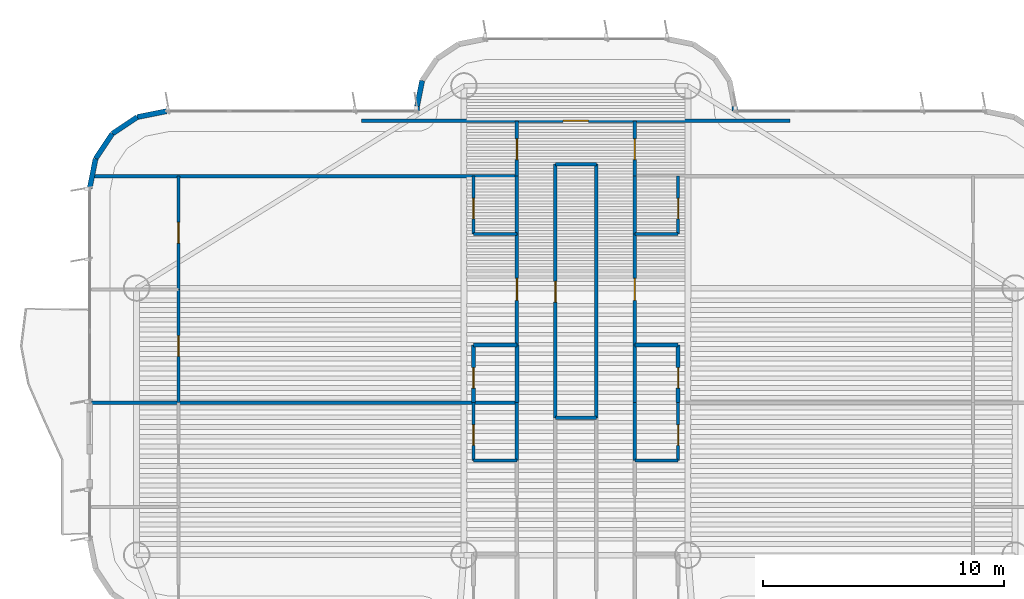
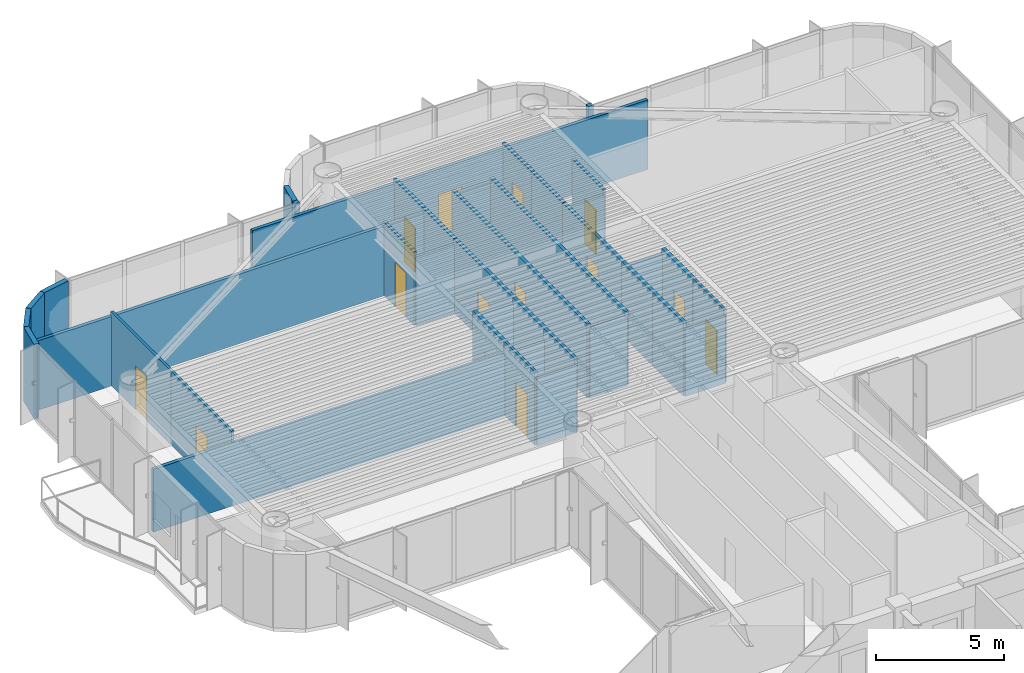
# One storey, part 11 of 15: 38 walls, 14 doors, 14 openings.
"""IFC4 building model written with IfcOpenShell, lengths in metres."""

from ifc_helpers import new_model, si_unit, direction, frame, frame_2d, origin, origin_2d, place, context, subcontext, project, spatial, rectangle, extrude, source, transform, mapped, material, layer, layer_set, type_object, element, fill, save


model = new_model("IFC4")

# Units and contexts
model_context = context("Model", 3, precision=1e-05, world=origin(), true_north=direction((0.0, 1.0)))
body_context = subcontext(model_context, "Body", "Model", "MODEL_VIEW")
ifc_project = project(units=[si_unit("LENGTHUNIT", "METRE"), si_unit("AREAUNIT", "SQUARE_METRE"), si_unit("VOLUMEUNIT", "CUBIC_METRE"), si_unit("PLANEANGLEUNIT", "RADIAN"), si_unit("MASSUNIT", "GRAM", prefix="KILO")], contexts=[model_context])

# Site, building, storey
site_placement = place(None, origin())
site = spatial("IfcSite", under=ifc_project, at=site_placement, CompositionType="ELEMENT")
building_placement = place(site_placement, origin())
building = spatial("IfcBuilding", under=site, at=building_placement, Name="Brelvock Crest Care Tower", CompositionType="ELEMENT")
storey_placement = place(building_placement, frame((0.0, 0.0, 160.199951171875)))
storey = spatial("IfcBuildingStorey", under=building, at=storey_placement, Name="L40", CompositionType="ELEMENT", Elevation=160.199951171875)

# Walls
ifc_material_1 = material(Name="Precast concrete N40 (40 MPa)", Category="concrete")
ifc_layer_1 = layer(ifc_material_1, 0.215087890625, Name="WL-EX2")
ifc_layer_set_1 = layer_set([ifc_layer_1], Name="Precast concrete N40 (40 MPa)")
wall_type_1 = type_object("IfcWallType", Name="WL-EX2", PredefinedType="SOLIDWALL", material=ifc_layer_set_1)
for number, where, z_axis, x_axis, name in (
    (1, (15.800048828125, 50.199951171875, 0.0), (0.0, 0.0, 1.0), (0.195138390419, 0.980775717779, 0.0), "L40 Rounded Corner Wall 18"),
    (2, (16.043701171875, 51.424560546875, 0.0), (0.0, 0.0, 1.0), (0.555557312883, 0.831478245117, 0.0), "L40 Rounded Corner Wall 19"),
    (3, (16.7373046875, 52.462646484375, 0.0), (0.0, 0.0, 1.0), (0.831387912822, 0.555692485475, 0.0), "L40 Rounded Corner Wall 20"),
    (4, (17.775390625, 53.156494140625, 0.0), (0.0, 0.0, 1.0), (0.980813122964, 0.194950295773, 0.0), "L40 Rounded Corner Wall 21"),
):
    element("IfcWall", number, at=place(storey_placement, frame(where, z_axis=z_axis, x_axis=x_axis)), inside=storey, type_object=wall_type_1, Name=name, PredefinedType="SOLIDWALL", context=body_context, shape_type="SweptSolid", body=[
        extrude(rectangle(XDim=1.24853515625, YDim=0.215087890625, at=frame_2d((0.624267578125, 0.0))), origin(), (0.0, 0.0, 1.0), 3.530029296875),
    ])
wall_1_placement = place(storey_placement, frame((29.39990234375, 53.39990234375, 0.0), z_axis=(0.0, 0.0, 1.0), x_axis=(0.0, 1.0, 0.0)))
element("IfcWall", 5, at=wall_1_placement, inside=storey, type_object=wall_type_1, Name="L40 Rounded Corner Wall 23", PredefinedType="SOLIDWALL", context=body_context, shape_type="SweptSolid", body=[
    extrude(rectangle(XDim=0.2001953125, YDim=0.215087890625, at=frame_2d((0.10009765625, 0.0))), origin(), (0.0, 0.0, 1.0), 3.530029296875),
])
wall_2_placement = place(storey_placement, frame((29.39990234375, 53.60009765625, 0.0), z_axis=(0.0, 0.0, 1.0), x_axis=(0.195127417394, 0.980777900945, 0.0)))
element("IfcWall", 6, at=wall_2_placement, inside=storey, type_object=wall_type_1, Name="L40 Rounded Corner Wall 24", PredefinedType="SOLIDWALL", context=body_context, shape_type="SweptSolid", body=[
    extrude(rectangle(XDim=1.09228515625, YDim=0.215087890625, at=frame_2d((0.546142578125, 0.0))), origin(), (0.0, 0.0, 1.0), 3.530029296875),
])
wall_3_placement = place(storey_placement, frame((42.60009765625, 53.60009765625, 0.0), z_axis=(0.0, 0.0, 1.0), x_axis=(0.0, -1.0, 0.0)))
element("IfcWall", 7, at=wall_3_placement, inside=storey, type_object=wall_type_1, Name="L40 Rounded Corner Wall 33", PredefinedType="SOLIDWALL", context=body_context, shape_type="SweptSolid", body=[
    extrude(rectangle(XDim=0.2001953125, YDim=0.215087890625, at=frame_2d((0.10009765625, 0.0))), origin(), (0.0, 0.0, 1.0), 3.530029296875),
])
ifc_material_2 = material(Name="Masonry Blockwork Acoustic Partition", Category="masonry")
ifc_layer_2 = layer(ifc_material_2, 0.14990234375, Name="WL-INT1")
ifc_layer_set_2 = layer_set([ifc_layer_2], Name="Masonry Blockwork Acoustic Partition")
wall_type_2 = type_object("IfcWallType", Name="WL-INT1", PredefinedType="PARTITIONING", material=ifc_layer_set_2)
wall_4_placement = place(storey_placement, frame((35.14990234375, 40.659912109375, 0.0), z_axis=(0.0, 0.0, 1.0), x_axis=(1.0, 0.0, 0.0)))
element("IfcWall", 8, at=wall_4_placement, inside=storey, type_object=wall_type_2, Name="L40 Interior Wall WL-BX-L40-ISKT-S", PredefinedType="PARTITIONING", context=body_context, shape_type="SweptSolid", body=[
    extrude(rectangle(XDim=1.7001953125, YDim=0.14990234375, at=frame_2d((0.85009765625, 0.0))), origin(), (0.0, 0.0, 1.0), 3.259033203125),
])
wall_5_placement = place(storey_placement, frame((15.8798828125, 41.2880859375, 0.0), z_axis=(0.0, 0.0, 1.0), x_axis=(1.0, 0.0, 0.0)))
element("IfcWall", 9, at=wall_5_placement, inside=storey, type_object=wall_type_2, Name="L40 Interior Wall WL-BX-L40-FL-WF1-N", PredefinedType="PARTITIONING", context=body_context, shape_type="SweptSolid", body=[
    extrude(rectangle(XDim=17.670166015625, YDim=0.14990234375, at=frame_2d((8.8349609375, 0.0))), origin(), (0.0, 0.0, 1.0), 2.98193359375),
])
wall_6_placement = place(storey_placement, frame((15.98095703125, 50.699951171875, 0.0), z_axis=(0.0, 0.0, 1.0), x_axis=(1.0, 0.0, 0.0)))
element("IfcWall", 10, at=wall_6_placement, inside=storey, type_object=wall_type_2, Name="L40 Interior Wall WL-BX-L40-FL-WF2-N", PredefinedType="PARTITIONING", context=body_context, shape_type="SweptSolid", body=[
    extrude(rectangle(XDim=17.569091796875, YDim=0.14990234375, at=frame_2d((8.78466796875, 0.0))), origin(), (0.0, 0.0, 1.0), 3.30810546875),
])
wall_7_placement = place(storey_placement, frame((35.14990234375, 51.199951171875, 0.0), z_axis=(0.0, 0.0, 1.0), x_axis=(1.0, 0.0, 0.0)))
element("IfcWall", 11, at=wall_7_placement, inside=storey, type_object=wall_type_2, Name="L40 Interior Wall WL-BX-L40-ISKT-N", PredefinedType="PARTITIONING", context=body_context, shape_type="SweptSolid", body=[
    extrude(rectangle(XDim=1.7001953125, YDim=0.14990234375, at=frame_2d((0.85009765625, 0.0))), origin(), (0.0, 0.0, 1.0), 3.30810546875),
])

# Wall, opening, door
wall_8_placement = place(storey_placement, frame((27.10009765625, 53.0, 0.0), z_axis=(0.0, 0.0, 1.0), x_axis=(1.0, 0.0, 0.0)))
wall_8 = element("IfcWall", 12, at=wall_8_placement, inside=storey, type_object=wall_type_2, Name="L40 Interior Wall WL-RM-L40-NHUB", PredefinedType="PARTITIONING", context=body_context, shape_type="SweptSolid", body=[
    extrude(rectangle(XDim=17.7998046875, YDim=0.14990234375, at=frame_2d((8.89990234375, 0.0))), origin(), (0.0, 0.0, 1.0), 3.30810546875),
])
opening_1_placement = place(wall_8_placement, frame((8.375, 0.0, 0.0)))
opening_1 = element("IfcOpeningElement", 13, at=opening_1_placement, cuts=wall_8, Name="Opening CLD-1", PredefinedType="OPENING", context=body_context, shape_type="SweptSolid", body=[
    extrude(rectangle(XDim=1.050048828125, YDim=2.10009765625, at=origin_2d()), frame((0.52490234375, 0.0849609375, 1.050048828125), z_axis=(0.0, -1.0, 0.0), x_axis=(1.0, 0.0, 0.0)), (0.0, 0.0, 1.0), 0.169921875),
])
ifc_material_3 = material(Name="Engineered Hardwood Timber", Category="wood")
door_type_1 = type_object("IfcDoorType", Name="DR-CLN1", OperationType="NOTDEFINED", PredefinedType="DOOR", material=ifc_material_3)
shared_shape_1 = source(origin(), body_context, "Body", "SweptSolid", [
    extrude(rectangle(XDim=1.050048828125, YDim=2.10009765625, at=origin_2d()), frame((0.52490234375, 0.02490234375, 1.050048828125), z_axis=(0.0, -1.0, 0.0), x_axis=(1.0, 0.0, 0.0)), (0.0, 0.0, 1.0), 0.050048828125),
])
door_1_placement = place(opening_1_placement, origin())
door_1 = element("IfcDoor", 14, at=door_1_placement, inside=storey, type_object=door_type_1, Name="L40 North Crest Conservatory Lounge Door NHUB", OperationType="SINGLE_SWING_LEFT", OverallHeight=2.10009765625, OverallWidth=1.050048828125, PredefinedType="DOOR", context=body_context, shape_type="MappedRepresentation", body=[
    mapped(shared_shape_1, transform((0.0, 0.0, 0.0), x_axis=(1.0, 0.0, 0.0), y_axis=(0.0, 1.0, 0.0), z_axis=(0.0, 0.0, 1.0), scale=1.0)),
])
fill(opening_1, door_1)

# Wall
wall_9_placement = place(storey_placement, frame((33.550048828125, 38.887939453125, 0.0), z_axis=(0.0, 0.0, 1.0), x_axis=(0.0, 1.0, 0.0)))
element("IfcWall", 15, at=wall_9_placement, inside=storey, type_object=wall_type_2, Name="L40 Interior Wall WL-UCK-L40-WF1", PredefinedType="PARTITIONING", context=body_context, shape_type="SweptSolid", body=[
    extrude(rectangle(XDim=2.400146484375, YDim=0.14990234375, at=frame_2d((1.2001953125, 0.0))), origin(), (0.0, 0.0, 1.0), 3.5),
])

# Wall, opening, door
wall_10_placement = place(storey_placement, frame((33.550048828125, 43.68798828125, 0.0), z_axis=(0.0, 0.0, 1.0), x_axis=(0.0, 1.0, 0.0)))
wall_10 = element("IfcWall", 16, at=wall_10_placement, inside=storey, type_object=wall_type_2, Name="L40 Interior Wall WL-UENT-L40-WF2", PredefinedType="PARTITIONING", context=body_context, shape_type="SweptSolid", body=[
    extrude(rectangle(XDim=4.612060546875, YDim=0.14990234375, at=frame_2d((2.30615234375, 0.0))), origin(), (0.0, 0.0, 1.0), 3.5),
])
opening_2_placement = place(wall_10_placement, frame((1.845947265625, 0.0, 0.0)))
opening_2 = element("IfcOpeningElement", 17, at=opening_2_placement, cuts=wall_10, Name="Opening AD-1", PredefinedType="OPENING", context=body_context, shape_type="SweptSolid", body=[
    extrude(rectangle(XDim=0.919921875, YDim=2.10009765625, at=origin_2d()), frame((0.4599609375, 0.0849609375, 1.050048828125), z_axis=(0.0, -1.0, 0.0), x_axis=(1.0, 0.0, 0.0)), (0.0, 0.0, 1.0), 0.169921875),
])
door_type_2 = type_object("IfcDoorType", Name="DR-APT1", OperationType="NOTDEFINED", PredefinedType="DOOR", material=ifc_material_3)
shared_shape_2 = source(origin(), body_context, "Body", "SweptSolid", [
    extrude(rectangle(XDim=0.919921875, YDim=2.10009765625, at=origin_2d()), frame((0.4599609375, 0.02490234375, 1.050048828125), z_axis=(0.0, -1.0, 0.0), x_axis=(1.0, 0.0, 0.0)), (0.0, 0.0, 1.0), 0.050048828125),
])
door_2_placement = place(opening_2_placement, origin())
door_2 = element("IfcDoor", 18, at=door_2_placement, inside=storey, type_object=door_type_2, Name="L40 Apartment Entrance WF2", OperationType="SINGLE_SWING_LEFT", OverallHeight=2.10009765625, OverallWidth=0.919921875, PredefinedType="DOOR", context=body_context, shape_type="MappedRepresentation", body=[
    mapped(shared_shape_2, transform((0.0, 0.0, 0.0), x_axis=(1.0, 0.0, 0.0), y_axis=(0.0, 1.0, 0.0), z_axis=(0.0, 0.0, 1.0), scale=1.0)),
])
fill(opening_2, door_2)

# Wall
wall_11_placement = place(storey_placement, frame((33.550048828125, 48.300048828125, 0.0), z_axis=(0.0, 0.0, 1.0), x_axis=(0.0, 1.0, 0.0)))
element("IfcWall", 19, at=wall_11_placement, inside=storey, type_object=wall_type_2, Name="L40 Interior Wall WL-UCK-L40-WF2", PredefinedType="PARTITIONING", context=body_context, shape_type="SweptSolid", body=[
    extrude(rectangle(XDim=2.39990234375, YDim=0.14990234375, at=frame_2d((1.199951171875, 0.0))), origin(), (0.0, 0.0, 1.0), 3.5),
])

# Wall, opening, door
wall_12_placement = place(storey_placement, frame((33.550048828125, 50.699951171875, 0.0), z_axis=(0.0, 0.0, 1.0), x_axis=(0.0, 1.0, 0.0)))
wall_12 = element("IfcWall", 20, at=wall_12_placement, inside=storey, type_object=wall_type_2, Name="L40 Interior Wall WL-RM-L40-NALW", PredefinedType="PARTITIONING", context=body_context, shape_type="SweptSolid", body=[
    extrude(rectangle(XDim=2.300048828125, YDim=0.14990234375, at=frame_2d((1.14990234375, 0.0))), origin(), (0.0, 0.0, 1.0), 3.5),
])
opening_3_placement = place(wall_12_placement, frame((0.68994140625, 0.0, 0.0)))
opening_3 = element("IfcOpeningElement", 21, at=opening_3_placement, cuts=wall_12, Name="Opening ID-1", PredefinedType="OPENING", context=body_context, shape_type="SweptSolid", body=[
    extrude(rectangle(XDim=0.860107421875, YDim=2.10009765625, at=origin_2d()), frame((0.43017578125, 0.0849609375, 1.050048828125), z_axis=(0.0, -1.0, 0.0), x_axis=(1.0, 0.0, 0.0)), (0.0, 0.0, 1.0), 0.169921875),
])
door_type_3 = type_object("IfcDoorType", Name="DR-INT1", OperationType="NOTDEFINED", PredefinedType="DOOR", material=ifc_material_3)
shared_shape_3 = source(origin(), body_context, "Body", "SweptSolid", [
    extrude(rectangle(XDim=0.860107421875, YDim=2.10009765625, at=origin_2d()), frame((0.43017578125, 0.02490234375, 1.050048828125), z_axis=(0.0, -1.0, 0.0), x_axis=(1.0, 0.0, 0.0)), (0.0, 0.0, 1.0), 0.050048828125),
])
door_3_placement = place(opening_3_placement, origin())
door_3 = element("IfcDoor", 22, at=door_3_placement, inside=storey, type_object=door_type_3, Name="L40 North West Sun Alcove Door NALW", OperationType="SINGLE_SWING_LEFT", OverallHeight=2.10009765625, OverallWidth=0.860107421875, PredefinedType="DOOR", context=body_context, shape_type="MappedRepresentation", body=[
    mapped(shared_shape_3, transform((0.0, 0.0, 0.0), x_axis=(1.0, 0.0, 0.0), y_axis=(0.0, 1.0, 0.0), z_axis=(0.0, 0.0, 1.0), scale=1.0)),
])
fill(opening_3, door_3)

wall_13_placement = place(storey_placement, frame((35.14990234375, 40.659912109375, 0.0), z_axis=(0.0, 0.0, 1.0), x_axis=(0.0, 1.0, 0.0)))
wall_13 = element("IfcWall", 23, at=wall_13_placement, inside=storey, type_object=wall_type_2, Name="L40 Interior Wall WL-RM-L40-ISKT", PredefinedType="PARTITIONING", context=body_context, shape_type="SweptSolid", body=[
    extrude(rectangle(XDim=10.5400390625, YDim=0.14990234375, at=frame_2d((5.27001953125, 0.0))), origin(), (0.0, 0.0, 1.0), 3.5),
])
opening_4_placement = place(wall_13_placement, frame((4.81005859375, 0.0, 0.0)))
opening_4 = element("IfcOpeningElement", 24, at=opening_4_placement, cuts=wall_13, Name="Opening ID-1", PredefinedType="OPENING", context=body_context, shape_type="SweptSolid", body=[
    extrude(rectangle(XDim=0.860107421875, YDim=2.10009765625, at=origin_2d()), frame((0.43017578125, 0.0849609375, 1.050048828125), z_axis=(0.0, -1.0, 0.0), x_axis=(1.0, 0.0, 0.0)), (0.0, 0.0, 1.0), 0.169921875),
])
door_4_placement = place(opening_4_placement, origin())
door_4 = element("IfcDoor", 25, at=door_4_placement, inside=storey, type_object=door_type_3, Name="L40 Communal Tea and Nutrition Pantry Door ISKT", OperationType="SINGLE_SWING_LEFT", OverallHeight=2.10009765625, OverallWidth=0.860107421875, PredefinedType="DOOR", context=body_context, shape_type="MappedRepresentation", body=[
    mapped(shared_shape_3, transform((0.0, 0.0, 0.0), x_axis=(1.0, 0.0, 0.0), y_axis=(0.0, 1.0, 0.0), z_axis=(0.0, 0.0, 1.0), scale=1.0)),
])
fill(opening_4, door_4)

# Walls
wall_14_placement = place(storey_placement, frame((36.85009765625, 40.659912109375, 0.0), z_axis=(0.0, 0.0, 1.0), x_axis=(0.0, 1.0, 0.0)))
element("IfcWall", 26, at=wall_14_placement, inside=storey, type_object=wall_type_2, Name="L40 Interior Wall WL-BX-L40-ISKT-E", PredefinedType="PARTITIONING", context=body_context, shape_type="SweptSolid", body=[
    extrude(rectangle(XDim=10.5400390625, YDim=0.14990234375, at=frame_2d((5.27001953125, 0.0))), origin(), (0.0, 0.0, 1.0), 3.5),
])
wall_15_placement = place(storey_placement, frame((38.449951171875, 38.887939453125, 0.0), z_axis=(0.0, 0.0, 1.0), x_axis=(0.0, 1.0, 0.0)))
element("IfcWall", 27, at=wall_15_placement, inside=storey, type_object=wall_type_2, Name="L40 Interior Wall WL-UCK-L40-EF1", PredefinedType="PARTITIONING", context=body_context, shape_type="SweptSolid", body=[
    extrude(rectangle(XDim=2.400146484375, YDim=0.14990234375, at=frame_2d((1.2001953125, 0.0))), origin(), (0.0, 0.0, 1.0), 3.5),
])

# Wall, opening, door
wall_16_placement = place(storey_placement, frame((38.449951171875, 43.68798828125, 0.0), z_axis=(0.0, 0.0, 1.0), x_axis=(0.0, 1.0, 0.0)))
wall_16 = element("IfcWall", 28, at=wall_16_placement, inside=storey, type_object=wall_type_2, Name="L40 Interior Wall WL-UENT-L40-EF2", PredefinedType="PARTITIONING", context=body_context, shape_type="SweptSolid", body=[
    extrude(rectangle(XDim=4.612060546875, YDim=0.14990234375, at=frame_2d((2.30615234375, 0.0))), origin(), (0.0, 0.0, 1.0), 3.5),
])
opening_5_placement = place(wall_16_placement, frame((1.845947265625, 0.0, 0.0)))
opening_5 = element("IfcOpeningElement", 29, at=opening_5_placement, cuts=wall_16, Name="Opening AD-1", PredefinedType="OPENING", context=body_context, shape_type="SweptSolid", body=[
    extrude(rectangle(XDim=0.919921875, YDim=2.10009765625, at=origin_2d()), frame((0.4599609375, 0.0849609375, 1.050048828125), z_axis=(0.0, -1.0, 0.0), x_axis=(1.0, 0.0, 0.0)), (0.0, 0.0, 1.0), 0.169921875),
])
door_5_placement = place(opening_5_placement, origin())
door_5 = element("IfcDoor", 30, at=door_5_placement, inside=storey, type_object=door_type_2, Name="L40 Apartment Entrance EF2", OperationType="SINGLE_SWING_LEFT", OverallHeight=2.10009765625, OverallWidth=0.919921875, PredefinedType="DOOR", context=body_context, shape_type="MappedRepresentation", body=[
    mapped(shared_shape_2, transform((0.0, 0.0, 0.0), x_axis=(1.0, 0.0, 0.0), y_axis=(0.0, 1.0, 0.0), z_axis=(0.0, 0.0, 1.0), scale=1.0)),
])
fill(opening_5, door_5)

# Wall
wall_17_placement = place(storey_placement, frame((38.449951171875, 48.300048828125, 0.0), z_axis=(0.0, 0.0, 1.0), x_axis=(0.0, 1.0, 0.0)))
element("IfcWall", 31, at=wall_17_placement, inside=storey, type_object=wall_type_2, Name="L40 Interior Wall WL-UCK-L40-EF2", PredefinedType="PARTITIONING", context=body_context, shape_type="SweptSolid", body=[
    extrude(rectangle(XDim=2.39990234375, YDim=0.14990234375, at=frame_2d((1.199951171875, 0.0))), origin(), (0.0, 0.0, 1.0), 3.5),
])

# Wall, opening, door
wall_18_placement = place(storey_placement, frame((38.449951171875, 50.699951171875, 0.0), z_axis=(0.0, 0.0, 1.0), x_axis=(0.0, 1.0, 0.0)))
wall_18 = element("IfcWall", 32, at=wall_18_placement, inside=storey, type_object=wall_type_2, Name="L40 Interior Wall WL-RM-L40-NALE", PredefinedType="PARTITIONING", context=body_context, shape_type="SweptSolid", body=[
    extrude(rectangle(XDim=2.300048828125, YDim=0.14990234375, at=frame_2d((1.14990234375, 0.0))), origin(), (0.0, 0.0, 1.0), 3.5),
])
opening_6_placement = place(wall_18_placement, frame((0.68994140625, 0.0, 0.0)))
opening_6 = element("IfcOpeningElement", 33, at=opening_6_placement, cuts=wall_18, Name="Opening ID-1", PredefinedType="OPENING", context=body_context, shape_type="SweptSolid", body=[
    extrude(rectangle(XDim=0.860107421875, YDim=2.10009765625, at=origin_2d()), frame((0.43017578125, 0.0849609375, 1.050048828125), z_axis=(0.0, -1.0, 0.0), x_axis=(1.0, 0.0, 0.0)), (0.0, 0.0, 1.0), 0.169921875),
])
door_6_placement = place(opening_6_placement, origin())
door_6 = element("IfcDoor", 34, at=door_6_placement, inside=storey, type_object=door_type_3, Name="L40 North East Tea Alcove Door NALE", OperationType="SINGLE_SWING_LEFT", OverallHeight=2.10009765625, OverallWidth=0.860107421875, PredefinedType="DOOR", context=body_context, shape_type="MappedRepresentation", body=[
    mapped(shared_shape_3, transform((0.0, 0.0, 0.0), x_axis=(1.0, 0.0, 0.0), y_axis=(0.0, 1.0, 0.0), z_axis=(0.0, 0.0, 1.0), scale=1.0)),
])
fill(opening_6, door_6)

# Walls
ifc_material_4 = material(Name="Gypsum Plasterboard Partition", Category="gypsum")
ifc_layer_3 = layer(ifc_material_4, 0.1201171875, Name="WL-INT2")
ifc_layer_set_3 = layer_set([ifc_layer_3], Name="Gypsum Plasterboard Partition")
wall_type_3 = type_object("IfcWallType", Name="WL-INT2", PredefinedType="PARTITIONING", material=ifc_layer_set_3)
for number, where, z_axis, x_axis, name in (
    (35, (31.75, 38.887939453125, 0.0), (0.0, 0.0, 1.0), (1.0, 0.0, 0.0), "L40 Interior Wall WL-UKIT2-L40-WF1"),
    (36, (38.449951171875, 38.887939453125, 0.0), (0.0, 0.0, 1.0), (1.0, 0.0, 0.0), "L40 Interior Wall WL-UKIT2-L40-EF1"),
    (37, (31.75, 48.300048828125, 0.0), (0.0, 0.0, 1.0), (1.0, 0.0, 0.0), "L40 Interior Wall WL-UKIT2-L40-WF2"),
    (38, (38.449951171875, 48.300048828125, 0.0), (0.0, 0.0, 1.0), (1.0, 0.0, 0.0), "L40 Interior Wall WL-UKIT2-L40-EF2"),
):
    element("IfcWall", number, at=place(storey_placement, frame(where, z_axis=z_axis, x_axis=x_axis)), inside=storey, type_object=wall_type_3, Name=name, PredefinedType="PARTITIONING", context=body_context, shape_type="SweptSolid", body=[
        extrude(rectangle(XDim=1.800048828125, YDim=0.1201171875, at=frame_2d((0.89990234375, 0.0))), origin(), (0.0, 0.0, 1.0), 3.259033203125),
    ])

# Wall, opening, door
wall_19_placement = place(storey_placement, frame((19.489990234375, 41.2880859375, 0.0), z_axis=(0.0, 0.0, 1.0), x_axis=(0.0, 1.0, 0.0)))
wall_19 = element("IfcWall", 39, at=wall_19_placement, inside=storey, type_object=wall_type_3, Name="L40 Interior Wall WL-UBD1-L40-WF2", PredefinedType="PARTITIONING", context=body_context, shape_type="SweptSolid", body=[
    extrude(rectangle(XDim=4.705810546875, YDim=0.1201171875, at=frame_2d((2.35302734375, 0.0))), origin(), (0.0, 0.0, 1.0), 3.5),
])
opening_7_placement = place(wall_19_placement, frame((1.923095703125, 0.0, 0.0)))
opening_7 = element("IfcOpeningElement", 40, at=opening_7_placement, cuts=wall_19, Name="Opening ID-1", PredefinedType="OPENING", context=body_context, shape_type="SweptSolid", body=[
    extrude(rectangle(XDim=0.860107421875, YDim=2.10009765625, at=origin_2d()), frame((0.43017578125, 0.070068359375, 1.050048828125), z_axis=(0.0, -1.0, 0.0), x_axis=(1.0, 0.0, 0.0)), (0.0, 0.0, 1.0), 0.14013671875),
])
door_7_placement = place(opening_7_placement, origin())
door_7 = element("IfcDoor", 41, at=door_7_placement, inside=storey, type_object=door_type_3, Name="L40 Primary Bedroom Door WF2", OperationType="SINGLE_SWING_RIGHT", OverallHeight=2.10009765625, OverallWidth=0.860107421875, PredefinedType="DOOR", context=body_context, shape_type="MappedRepresentation", body=[
    mapped(shared_shape_3, transform((0.0, 0.0, 0.0), x_axis=(1.0, 0.0, 0.0), y_axis=(0.0, 1.0, 0.0), z_axis=(0.0, 0.0, 1.0), scale=1.0)),
])
fill(opening_7, door_7)

wall_20_placement = place(storey_placement, frame((19.489990234375, 45.993896484375, 0.0), z_axis=(0.0, 0.0, 1.0), x_axis=(0.0, 1.0, 0.0)))
wall_20 = element("IfcWall", 42, at=wall_20_placement, inside=storey, type_object=wall_type_3, Name="L40 Interior Wall WL-UBD2-L40-WF2", PredefinedType="PARTITIONING", context=body_context, shape_type="SweptSolid", body=[
    extrude(rectangle(XDim=4.7060546875, YDim=0.1201171875, at=frame_2d((2.35302734375, 0.0))), origin(), (0.0, 0.0, 1.0), 3.5),
])
opening_8_placement = place(wall_20_placement, frame((1.923095703125, 0.0, 0.0)))
opening_8 = element("IfcOpeningElement", 43, at=opening_8_placement, cuts=wall_20, Name="Opening ID-1", PredefinedType="OPENING", context=body_context, shape_type="SweptSolid", body=[
    extrude(rectangle(XDim=0.860107421875, YDim=2.10009765625, at=origin_2d()), frame((0.43017578125, 0.070068359375, 1.050048828125), z_axis=(0.0, -1.0, 0.0), x_axis=(1.0, 0.0, 0.0)), (0.0, 0.0, 1.0), 0.14013671875),
])
door_8_placement = place(opening_8_placement, origin())
door_8 = element("IfcDoor", 44, at=door_8_placement, inside=storey, type_object=door_type_3, Name="L40 Second Room Door WF2", OperationType="SINGLE_SWING_LEFT", OverallHeight=2.10009765625, OverallWidth=0.860107421875, PredefinedType="DOOR", context=body_context, shape_type="MappedRepresentation", body=[
    mapped(shared_shape_3, transform((0.0, 0.0, 0.0), x_axis=(1.0, 0.0, 0.0), y_axis=(0.0, 1.0, 0.0), z_axis=(0.0, 0.0, 1.0), scale=1.0)),
])
fill(opening_8, door_8)

wall_21_placement = place(storey_placement, frame((31.75, 38.887939453125, 0.0), z_axis=(0.0, 0.0, 1.0), x_axis=(0.0, 1.0, 0.0)))
wall_21 = element("IfcWall", 45, at=wall_21_placement, inside=storey, type_object=wall_type_3, Name="L40 Interior Wall WL-UKIT1-L40-WF1", PredefinedType="PARTITIONING", context=body_context, shape_type="SweptSolid", body=[
    extrude(rectangle(XDim=2.400146484375, YDim=0.1201171875, at=frame_2d((1.2001953125, 0.0))), origin(), (0.0, 0.0, 1.0), 3.5),
])
opening_9_placement = place(wall_21_placement, frame((0.6201171875, 0.0, 0.0)))
opening_9 = element("IfcOpeningElement", 46, at=opening_9_placement, cuts=wall_21, Name="Opening ID-1", PredefinedType="OPENING", context=body_context, shape_type="SweptSolid", body=[
    extrude(rectangle(XDim=0.860107421875, YDim=2.10009765625, at=origin_2d()), frame((0.43017578125, 0.070068359375, 1.050048828125), z_axis=(0.0, -1.0, 0.0), x_axis=(1.0, 0.0, 0.0)), (0.0, 0.0, 1.0), 0.14013671875),
])
door_9_placement = place(opening_9_placement, origin())
door_9 = element("IfcDoor", 47, at=door_9_placement, inside=storey, type_object=door_type_3, Name="L40 Kitchen Door WF1", OperationType="SINGLE_SWING_LEFT", OverallHeight=2.10009765625, OverallWidth=0.860107421875, PredefinedType="DOOR", context=body_context, shape_type="MappedRepresentation", body=[
    mapped(shared_shape_3, transform((0.0, 0.0, 0.0), x_axis=(1.0, 0.0, 0.0), y_axis=(0.0, 1.0, 0.0), z_axis=(0.0, 0.0, 1.0), scale=1.0)),
])
fill(opening_9, door_9)

wall_22_placement = place(storey_placement, frame((31.75, 48.300048828125, 0.0), z_axis=(0.0, 0.0, 1.0), x_axis=(0.0, 1.0, 0.0)))
wall_22 = element("IfcWall", 48, at=wall_22_placement, inside=storey, type_object=wall_type_3, Name="L40 Interior Wall WL-UKIT1-L40-WF2", PredefinedType="PARTITIONING", context=body_context, shape_type="SweptSolid", body=[
    extrude(rectangle(XDim=2.39990234375, YDim=0.1201171875, at=frame_2d((1.199951171875, 0.0))), origin(), (0.0, 0.0, 1.0), 3.5),
])
opening_10_placement = place(wall_22_placement, frame((0.6201171875, 0.0, 0.0)))
opening_10 = element("IfcOpeningElement", 49, at=opening_10_placement, cuts=wall_22, Name="Opening ID-1", PredefinedType="OPENING", context=body_context, shape_type="SweptSolid", body=[
    extrude(rectangle(XDim=0.860107421875, YDim=2.10009765625, at=origin_2d()), frame((0.43017578125, 0.070068359375, 1.050048828125), z_axis=(0.0, -1.0, 0.0), x_axis=(1.0, 0.0, 0.0)), (0.0, 0.0, 1.0), 0.14013671875),
])
door_10_placement = place(opening_10_placement, origin())
door_10 = element("IfcDoor", 50, at=door_10_placement, inside=storey, type_object=door_type_3, Name="L40 Kitchen Door WF2", OperationType="SINGLE_SWING_LEFT", OverallHeight=2.10009765625, OverallWidth=0.860107421875, PredefinedType="DOOR", context=body_context, shape_type="MappedRepresentation", body=[
    mapped(shared_shape_3, transform((0.0, 0.0, 0.0), x_axis=(1.0, 0.0, 0.0), y_axis=(0.0, 1.0, 0.0), z_axis=(0.0, 0.0, 1.0), scale=1.0)),
])
fill(opening_10, door_10)

wall_23_placement = place(storey_placement, frame((40.25, 38.887939453125, 0.0), z_axis=(0.0, 0.0, 1.0), x_axis=(0.0, 1.0, 0.0)))
wall_23 = element("IfcWall", 51, at=wall_23_placement, inside=storey, type_object=wall_type_3, Name="L40 Interior Wall WL-UKIT1-L40-EF1", PredefinedType="PARTITIONING", context=body_context, shape_type="SweptSolid", body=[
    extrude(rectangle(XDim=2.400146484375, YDim=0.1201171875, at=frame_2d((1.2001953125, 0.0))), origin(), (0.0, 0.0, 1.0), 3.5),
])
opening_11_placement = place(wall_23_placement, frame((0.6201171875, 0.0, 0.0)))
opening_11 = element("IfcOpeningElement", 52, at=opening_11_placement, cuts=wall_23, Name="Opening ID-1", PredefinedType="OPENING", context=body_context, shape_type="SweptSolid", body=[
    extrude(rectangle(XDim=0.860107421875, YDim=2.10009765625, at=origin_2d()), frame((0.43017578125, 0.070068359375, 1.050048828125), z_axis=(0.0, -1.0, 0.0), x_axis=(1.0, 0.0, 0.0)), (0.0, 0.0, 1.0), 0.14013671875),
])
door_11_placement = place(opening_11_placement, origin())
door_11 = element("IfcDoor", 53, at=door_11_placement, inside=storey, type_object=door_type_3, Name="L40 Kitchen Door EF1", OperationType="SINGLE_SWING_RIGHT", OverallHeight=2.10009765625, OverallWidth=0.860107421875, PredefinedType="DOOR", context=body_context, shape_type="MappedRepresentation", body=[
    mapped(shared_shape_3, transform((0.0, 0.0, 0.0), x_axis=(1.0, 0.0, 0.0), y_axis=(0.0, 1.0, 0.0), z_axis=(0.0, 0.0, 1.0), scale=1.0)),
])
fill(opening_11, door_11)

wall_24_placement = place(storey_placement, frame((40.25, 48.300048828125, 0.0), z_axis=(0.0, 0.0, 1.0), x_axis=(0.0, 1.0, 0.0)))
wall_24 = element("IfcWall", 54, at=wall_24_placement, inside=storey, type_object=wall_type_3, Name="L40 Interior Wall WL-UKIT1-L40-EF2", PredefinedType="PARTITIONING", context=body_context, shape_type="SweptSolid", body=[
    extrude(rectangle(XDim=2.39990234375, YDim=0.1201171875, at=frame_2d((1.199951171875, 0.0))), origin(), (0.0, 0.0, 1.0), 3.5),
])
opening_12_placement = place(wall_24_placement, frame((0.6201171875, 0.0, 0.0)))
opening_12 = element("IfcOpeningElement", 55, at=opening_12_placement, cuts=wall_24, Name="Opening ID-1", PredefinedType="OPENING", context=body_context, shape_type="SweptSolid", body=[
    extrude(rectangle(XDim=0.860107421875, YDim=2.10009765625, at=origin_2d()), frame((0.43017578125, 0.070068359375, 1.050048828125), z_axis=(0.0, -1.0, 0.0), x_axis=(1.0, 0.0, 0.0)), (0.0, 0.0, 1.0), 0.14013671875),
])
door_12_placement = place(opening_12_placement, origin())
door_12 = element("IfcDoor", 56, at=door_12_placement, inside=storey, type_object=door_type_3, Name="L40 Kitchen Door EF2", OperationType="SINGLE_SWING_RIGHT", OverallHeight=2.10009765625, OverallWidth=0.860107421875, PredefinedType="DOOR", context=body_context, shape_type="MappedRepresentation", body=[
    mapped(shared_shape_3, transform((0.0, 0.0, 0.0), x_axis=(1.0, 0.0, 0.0), y_axis=(0.0, 1.0, 0.0), z_axis=(0.0, 0.0, 1.0), scale=1.0)),
])
fill(opening_12, door_12)

# Walls
ifc_layer_4 = layer(ifc_material_4, 0.159912109375, Name="WL-PLM1")
ifc_layer_set_4 = layer_set([ifc_layer_4], Name="Gypsum Plasterboard Partition")
wall_type_4 = type_object("IfcWallType", Name="WL-PLM1", PredefinedType="PLUMBINGWALL", material=ifc_layer_set_4)
for number, where, z_axis, x_axis, name in (
    (57, (31.75, 43.68798828125, 0.0), (0.0, 0.0, 1.0), (1.0, 0.0, 0.0), "L40 Interior Wall WL-UBTH2-L40-WF2"),
    (58, (38.449951171875, 43.68798828125, 0.0), (0.0, 0.0, 1.0), (1.0, 0.0, 0.0), "L40 Interior Wall WL-UBTH2-L40-EF2"),
):
    element("IfcWall", number, at=place(storey_placement, frame(where, z_axis=z_axis, x_axis=x_axis)), inside=storey, type_object=wall_type_4, Name=name, PredefinedType="PLUMBINGWALL", context=body_context, shape_type="SweptSolid", body=[
        extrude(rectangle(XDim=1.800048828125, YDim=0.159912109375, at=frame_2d((0.89990234375, 0.0))), origin(), (0.0, 0.0, 1.0), 3.259033203125),
    ])

# Wall, opening, door
wall_25_placement = place(storey_placement, frame((31.75, 41.2880859375, 0.0), z_axis=(0.0, 0.0, 1.0), x_axis=(0.0, 1.0, 0.0)))
wall_25 = element("IfcWall", 59, at=wall_25_placement, inside=storey, type_object=wall_type_4, Name="L40 Interior Wall WL-UBTH1-L40-WF2", PredefinedType="PLUMBINGWALL", context=body_context, shape_type="SweptSolid", body=[
    extrude(rectangle(XDim=2.39990234375, YDim=0.159912109375, at=frame_2d((1.199951171875, 0.0))), origin(), (0.0, 0.0, 1.0), 3.5),
])
opening_13_placement = place(wall_25_placement, frame((0.60009765625, 0.0, 0.0)))
opening_13 = element("IfcOpeningElement", 60, at=opening_13_placement, cuts=wall_25, Name="Opening WD-1", PredefinedType="OPENING", context=body_context, shape_type="SweptSolid", body=[
    extrude(rectangle(XDim=0.860107421875, YDim=2.10009765625, at=origin_2d()), frame((0.43017578125, 0.08984375, 1.050048828125), z_axis=(0.0, -1.0, 0.0), x_axis=(1.0, 0.0, 0.0)), (0.0, 0.0, 1.0), 0.179931640625),
])
door_type_4 = type_object("IfcDoorType", Name="DR-WC1", OperationType="NOTDEFINED", PredefinedType="DOOR", material=ifc_material_3)
shared_shape_4 = source(origin(), body_context, "Body", "SweptSolid", [
    extrude(rectangle(XDim=0.860107421875, YDim=2.10009765625, at=origin_2d()), frame((0.43017578125, 0.02490234375, 1.050048828125), z_axis=(0.0, -1.0, 0.0), x_axis=(1.0, 0.0, 0.0)), (0.0, 0.0, 1.0), 0.050048828125),
])
door_13_placement = place(opening_13_placement, origin())
door_13 = element("IfcDoor", 61, at=door_13_placement, inside=storey, type_object=door_type_4, Name="L40 Bathroom Door WF2", OperationType="SINGLE_SWING_LEFT", OverallHeight=2.10009765625, OverallWidth=0.860107421875, PredefinedType="DOOR", context=body_context, shape_type="MappedRepresentation", body=[
    mapped(shared_shape_4, transform((0.0, 0.0, 0.0), x_axis=(1.0, 0.0, 0.0), y_axis=(0.0, 1.0, 0.0), z_axis=(0.0, 0.0, 1.0), scale=1.0)),
])
fill(opening_13, door_13)

# Walls
for number, where, z_axis, x_axis, name in (
    (62, (33.550048828125, 41.2880859375, 0.0), (0.0, 0.0, 1.0), (0.0, 1.0, 0.0), "L40 Interior Wall WL-UCB-L40-WF2"),
    (63, (38.449951171875, 41.2880859375, 0.0), (0.0, 0.0, 1.0), (0.0, 1.0, 0.0), "L40 Interior Wall WL-UCB-L40-EF2"),
):
    element("IfcWall", number, at=place(storey_placement, frame(where, z_axis=z_axis, x_axis=x_axis)), inside=storey, type_object=wall_type_4, Name=name, PredefinedType="PLUMBINGWALL", context=body_context, shape_type="SweptSolid", body=[
        extrude(rectangle(XDim=2.39990234375, YDim=0.159912109375, at=frame_2d((1.199951171875, 0.0))), origin(), (0.0, 0.0, 1.0), 3.5),
    ])

# Wall, opening, door
wall_26_placement = place(storey_placement, frame((40.25, 41.2880859375, 0.0), z_axis=(0.0, 0.0, 1.0), x_axis=(0.0, 1.0, 0.0)))
wall_26 = element("IfcWall", 64, at=wall_26_placement, inside=storey, type_object=wall_type_4, Name="L40 Interior Wall WL-UBTH1-L40-EF2", PredefinedType="PLUMBINGWALL", context=body_context, shape_type="SweptSolid", body=[
    extrude(rectangle(XDim=2.39990234375, YDim=0.159912109375, at=frame_2d((1.199951171875, 0.0))), origin(), (0.0, 0.0, 1.0), 3.5),
])
opening_14_placement = place(wall_26_placement, frame((0.60009765625, 0.0, 0.0)))
opening_14 = element("IfcOpeningElement", 65, at=opening_14_placement, cuts=wall_26, Name="Opening WD-1", PredefinedType="OPENING", context=body_context, shape_type="SweptSolid", body=[
    extrude(rectangle(XDim=0.860107421875, YDim=2.10009765625, at=origin_2d()), frame((0.43017578125, 0.08984375, 1.050048828125), z_axis=(0.0, -1.0, 0.0), x_axis=(1.0, 0.0, 0.0)), (0.0, 0.0, 1.0), 0.179931640625),
])
door_14_placement = place(opening_14_placement, origin())
door_14 = element("IfcDoor", 66, at=door_14_placement, inside=storey, type_object=door_type_4, Name="L40 Bathroom Door EF2", OperationType="SINGLE_SWING_LEFT", OverallHeight=2.10009765625, OverallWidth=0.860107421875, PredefinedType="DOOR", context=body_context, shape_type="MappedRepresentation", body=[
    mapped(shared_shape_4, transform((0.0, 0.0, 0.0), x_axis=(1.0, 0.0, 0.0), y_axis=(0.0, 1.0, 0.0), z_axis=(0.0, 0.0, 1.0), scale=1.0)),
])
fill(opening_14, door_14)

save(model, "model.ifc")
